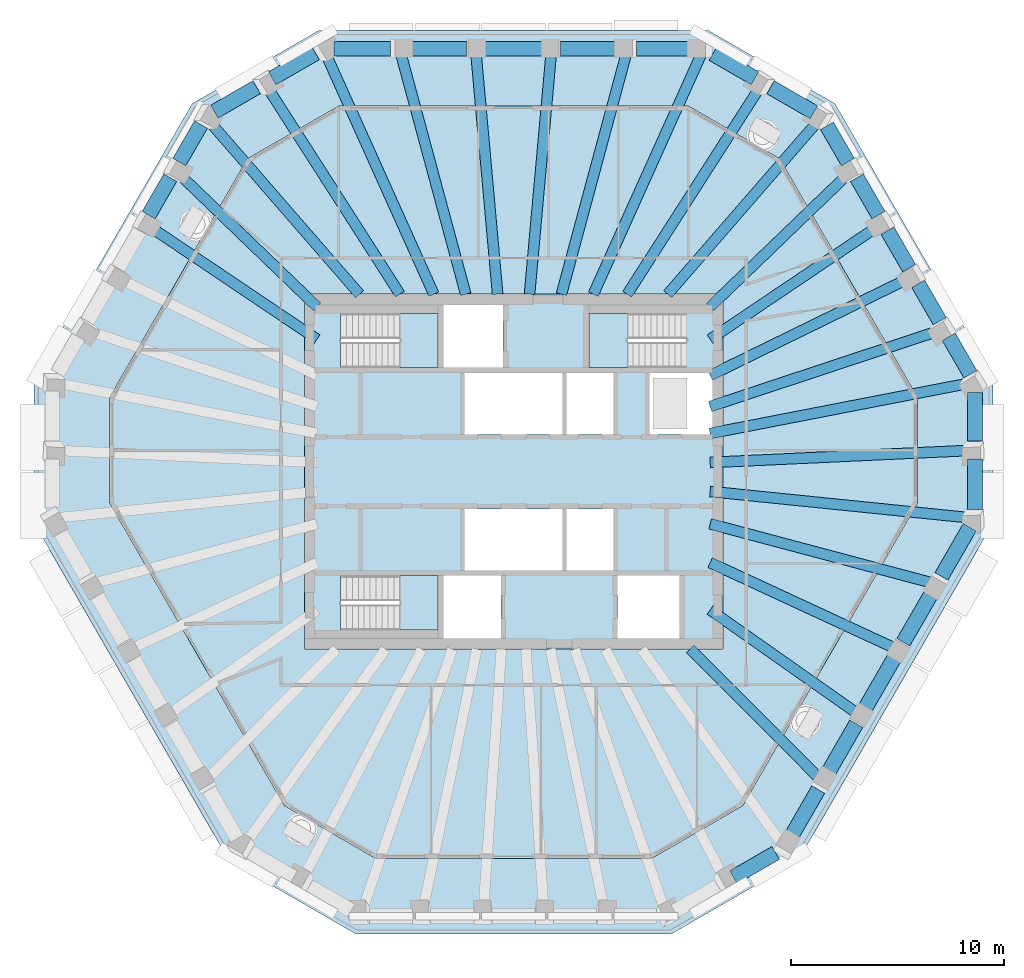
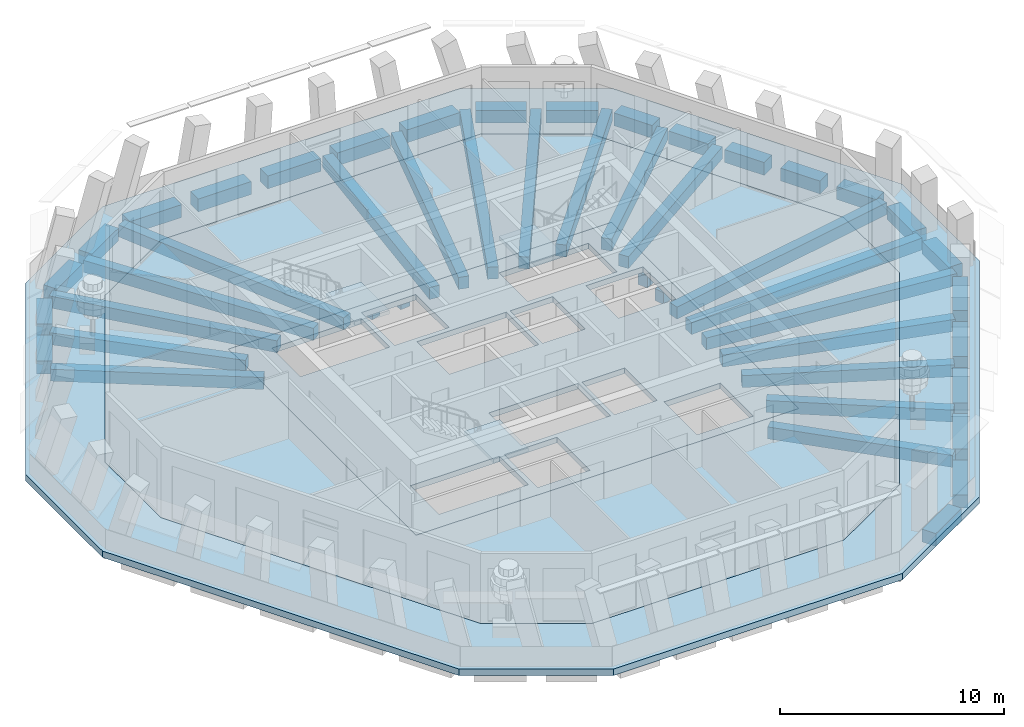
# One storey, part 2 of 11: 47 beams, 6 slabs, 3 elements without a shape of their own.
"""IFC4 building model written with IfcOpenShell, lengths in metres."""

from ifc_helpers import new_model, si_unit, direction, frame, origin, origin_2d, place, context, subcontext, project, spatial, polyline, rectangle, outline, extrude, material, layer, layer_set, material_profile, profile_set, type_object, element, aggregate, save


model = new_model("IFC4")

# Units and contexts
model_context = context("Model", 3, precision=1e-05, world=origin(), true_north=direction((0.0, 1.0)))
body_context = subcontext(model_context, "Body", "Model", "MODEL_VIEW")
ifc_project = project(units=[si_unit("LENGTHUNIT", "METRE"), si_unit("AREAUNIT", "SQUARE_METRE"), si_unit("VOLUMEUNIT", "CUBIC_METRE"), si_unit("PLANEANGLEUNIT", "RADIAN"), si_unit("MASSUNIT", "GRAM", prefix="KILO")], contexts=[model_context])

# Site, building, storey
site_placement = place(None, origin())
site = spatial("IfcSite", under=ifc_project, at=site_placement, CompositionType="ELEMENT")
building_placement = place(site_placement, origin())
building = spatial("IfcBuilding", under=site, at=building_placement, Name="Frailejon Research Tower", CompositionType="ELEMENT")
storey_placement = place(building_placement, frame((0.0, 0.0, 340.60009765625)))
storey = spatial("IfcBuildingStorey", under=building, at=storey_placement, Name="L76", CompositionType="ELEMENT", Elevation=340.60009765625)

# Beams
ifc_material_1 = material(Name="Concrete C60/75", Category="concrete")
ifc_material_profile_1 = material_profile(ifc_material_1, rectangle(XDim=0.5, YDim=0.64990234375, at=origin_2d()), Name="Girder 500x650")
ifc_profile_set_1 = profile_set([ifc_material_profile_1], Name="Concrete C60/75")
beam_type_1 = type_object("IfcBeamType", Name="Girder 500x650", PredefinedType="BEAM", material=ifc_profile_set_1)
beam_1_placement = place(storey_placement, frame((21.432373046875, -2.17236328125, -0.625), z_axis=(-0.994901846505, 0.10084798372, 0.0), x_axis=(-0.10084798372, -0.994901846505, 0.0)))
element("IfcBeam", 1, at=beam_1_placement, inside=storey, type_object=beam_type_1, Name="Girder 500x650", PredefinedType="BEAM", context=body_context, shape_type="SweptSolid", body=[
    extrude(rectangle(XDim=0.5, YDim=0.64990234375, at=origin_2d()), origin(), (0.0, 0.0, 1.0), 12.244873046875),
])
beam_2_placement = place(storey_placement, frame((21.432861328125, 0.992919921875, -0.625), z_axis=(-0.998928410003, -0.046282088213, 0.0), x_axis=(0.046282088213, -0.998928410003, 0.0)))
element("IfcBeam", 2, at=beam_2_placement, inside=storey, type_object=beam_type_1, Name="Girder 500x650", PredefinedType="BEAM", context=body_context, shape_type="SweptSolid", body=[
    extrude(rectangle(XDim=0.5, YDim=0.64990234375, at=origin_2d()), origin(), (0.0, 0.0, 1.0), 12.196044921875),
])
beam_3_placement = place(storey_placement, frame((21.4140625, 4.154541015625, -0.625), z_axis=(-0.981696516432, -0.190451961461, 0.0), x_axis=(0.190451961461, -0.981696516432, 0.0)))
element("IfcBeam", 3, at=beam_3_placement, inside=storey, type_object=beam_type_1, Name="Girder 500x650", PredefinedType="BEAM", context=body_context, shape_type="SweptSolid", body=[
    extrude(rectangle(XDim=0.5, YDim=0.64990234375, at=origin_2d()), origin(), (0.0, 0.0, 1.0), 12.390869140625),
])
beam_4_placement = place(storey_placement, frame((19.997314453125, 6.618896484375, -0.625), z_axis=(-0.949351863334, -0.314214957606, 0.0), x_axis=(0.314214957606, -0.949351863334, 0.0)))
element("IfcBeam", 4, at=beam_4_placement, inside=storey, type_object=beam_type_1, Name="Girder 500x650", PredefinedType="BEAM", context=body_context, shape_type="SweptSolid", body=[
    extrude(rectangle(XDim=0.5, YDim=0.64990234375, at=origin_2d()), origin(), (0.0, 0.0, 1.0), 11.32080078125),
])
beam_5_placement = place(storey_placement, frame((18.577392578125, 9.08349609375, -0.625), z_axis=(-0.898356524558, -0.439267065444, 0.0), x_axis=(0.439267065444, -0.898356524558, 0.0)))
element("IfcBeam", 5, at=beam_5_placement, inside=storey, type_object=beam_type_1, Name="Girder 500x650", PredefinedType="BEAM", context=body_context, shape_type="SweptSolid", body=[
    extrude(rectangle(XDim=0.5, YDim=0.64990234375, at=origin_2d()), origin(), (0.0, 0.0, 1.0), 10.3828125),
])
beam_6_placement = place(storey_placement, frame((17.1552734375, 11.546875, -0.625), z_axis=(-0.829590486371, -0.558372299567, 0.0), x_axis=(0.558372299567, -0.829590486371, 0.0)))
element("IfcBeam", 6, at=beam_6_placement, inside=storey, type_object=beam_type_1, Name="Girder 500x650", PredefinedType="BEAM", context=body_context, shape_type="SweptSolid", body=[
    extrude(rectangle(XDim=0.5, YDim=0.64990234375, at=origin_2d()), origin(), (0.0, 0.0, 1.0), 9.529052734375),
])
beam_7_placement = place(storey_placement, frame((15.735595703125, 13.997802734375, -0.625), z_axis=(-0.720186249884, -0.693780776239, 0.0), x_axis=(0.693780776239, -0.720186249884, 0.0)))
element("IfcBeam", 7, at=beam_7_placement, inside=storey, type_object=beam_type_1, Name="Girder 500x650", PredefinedType="BEAM", context=body_context, shape_type="SweptSolid", body=[
    extrude(rectangle(XDim=0.5, YDim=0.64990234375, at=origin_2d()), origin(), (0.0, 0.0, 1.0), 9.00537109375),
])
beam_8_placement = place(storey_placement, frame((14.31591796875, 16.480224609375, -0.625), z_axis=(-0.655799219771, -0.754935350442, 0.0), x_axis=(0.754935350442, -0.655799219771, 0.0)))
element("IfcBeam", 8, at=beam_8_placement, inside=storey, type_object=beam_type_1, Name="Girder 500x650", PredefinedType="BEAM", context=body_context, shape_type="SweptSolid", body=[
    extrude(rectangle(XDim=0.5, YDim=0.64990234375, at=origin_2d()), origin(), (0.0, 0.0, 1.0), 10.769287109375),
])
beam_9_placement = place(storey_placement, frame((11.576416015625, 18.065185546875, -0.625), z_axis=(-0.539541139677, -0.841959238085, 0.0), x_axis=(0.841959238085, -0.539541139677, 0.0)))
element("IfcBeam", 9, at=beam_9_placement, inside=storey, type_object=beam_type_1, Name="Girder 500x650", PredefinedType="BEAM", context=body_context, shape_type="SweptSolid", body=[
    extrude(rectangle(XDim=0.5, YDim=0.64990234375, at=origin_2d()), origin(), (0.0, 0.0, 1.0), 11.53857421875),
])
beam_10_placement = place(storey_placement, frame((8.81884765625, 19.61181640625, -0.625), z_axis=(-0.410124607406, -0.912029498646, 0.0), x_axis=(0.912029498646, -0.410124607406, 0.0)))
element("IfcBeam", 10, at=beam_10_placement, inside=storey, type_object=beam_type_1, Name="Girder 500x650", PredefinedType="BEAM", context=body_context, shape_type="SweptSolid", body=[
    extrude(rectangle(XDim=0.5, YDim=0.64990234375, at=origin_2d()), origin(), (0.0, 0.0, 1.0), 12.347900390625),
])
beam_11_placement = place(storey_placement, frame((5.29345703125, 19.619873046875, -0.625), z_axis=(-0.26048123621, -0.965478909963, 0.0), x_axis=(0.965478909963, -0.26048123621, 0.0)))
element("IfcBeam", 11, at=beam_11_placement, inside=storey, type_object=beam_type_1, Name="Girder 500x650", PredefinedType="BEAM", context=body_context, shape_type="SweptSolid", body=[
    extrude(rectangle(XDim=0.5, YDim=0.64990234375, at=origin_2d()), origin(), (0.0, 0.0, 1.0), 11.6728515625),
])
for number, where, z_axis, x_axis, name in (
    (12, (1.764892578125, 19.62451171875, -0.625), (-0.089569238272, -0.995980597981, 0.0), (0.995980597981, -0.089569238272, 0.0), "Girder 500x650"),
    (13, (-1.764892578125, 19.62451171875, -0.625), (0.089569238272, -0.995980597981, 0.0), (0.995980597981, 0.089569238272, 0.0), "Girder 500x650"),
):
    element("IfcBeam", number, at=place(storey_placement, frame(where, z_axis=z_axis, x_axis=x_axis)), inside=storey, type_object=beam_type_1, Name=name, PredefinedType="BEAM", context=body_context, shape_type="SweptSolid", body=[
        extrude(rectangle(XDim=0.5, YDim=0.64990234375, at=origin_2d()), origin(), (0.0, 0.0, 1.0), 11.31982421875),
    ])
beam_12_placement = place(storey_placement, frame((-5.29345703125, 19.619873046875, -0.625), z_axis=(0.26048123621, -0.965478909963, 0.0), x_axis=(0.965478909963, 0.26048123621, 0.0)))
element("IfcBeam", 14, at=beam_12_placement, inside=storey, type_object=beam_type_1, Name="Girder 500x650", PredefinedType="BEAM", context=body_context, shape_type="SweptSolid", body=[
    extrude(rectangle(XDim=0.5, YDim=0.64990234375, at=origin_2d()), origin(), (0.0, 0.0, 1.0), 11.6728515625),
])
beam_13_placement = place(storey_placement, frame((-8.834716796875, 19.647216796875, -0.625), z_axis=(0.410121261176, -0.912031003383, 0.0), x_axis=(0.912031003383, 0.410121261176, 0.0)))
element("IfcBeam", 15, at=beam_13_placement, inside=storey, type_object=beam_type_1, Name="Girder 500x650", PredefinedType="BEAM", context=body_context, shape_type="SweptSolid", body=[
    extrude(rectangle(XDim=0.5, YDim=0.64990234375, at=origin_2d()), origin(), (0.0, 0.0, 1.0), 12.38671875),
])
beam_14_placement = place(storey_placement, frame((-11.576416015625, 18.065185546875, -0.625), z_axis=(0.539541139677, -0.841959238085, 0.0), x_axis=(0.841959238085, 0.539541139677, 0.0)))
element("IfcBeam", 16, at=beam_14_placement, inside=storey, type_object=beam_type_1, Name="Girder 500x650", PredefinedType="BEAM", context=body_context, shape_type="SweptSolid", body=[
    extrude(rectangle(XDim=0.5, YDim=0.64990234375, at=origin_2d()), origin(), (0.0, 0.0, 1.0), 11.53857421875),
])
beam_15_placement = place(storey_placement, frame((-14.30517578125, 16.4677734375, -0.625), z_axis=(0.655803138185, -0.754931946567, 0.0), x_axis=(0.754931946567, 0.655803138185, 0.0)))
element("IfcBeam", 17, at=beam_15_placement, inside=storey, type_object=beam_type_1, Name="Girder 500x650", PredefinedType="BEAM", context=body_context, shape_type="SweptSolid", body=[
    extrude(rectangle(XDim=0.5, YDim=0.64990234375, at=origin_2d()), origin(), (0.0, 0.0, 1.0), 10.7529296875),
])
beam_16_placement = place(storey_placement, frame((-15.735595703125, 13.997802734375, -0.625), z_axis=(0.720186249884, -0.693780776239, 0.0), x_axis=(0.693780776239, 0.720186249884, 0.0)))
element("IfcBeam", 18, at=beam_16_placement, inside=storey, type_object=beam_type_1, Name="Girder 500x650", PredefinedType="BEAM", context=body_context, shape_type="SweptSolid", body=[
    extrude(rectangle(XDim=0.5, YDim=0.64990234375, at=origin_2d()), origin(), (0.0, 0.0, 1.0), 9.00537109375),
])
beam_17_placement = place(storey_placement, frame((-17.1552734375, 11.546875, -0.625), z_axis=(0.829590486371, -0.558372299567, 0.0), x_axis=(0.558372299567, 0.829590486371, 0.0)))
element("IfcBeam", 19, at=beam_17_placement, inside=storey, type_object=beam_type_1, Name="Girder 500x650", PredefinedType="BEAM", context=body_context, shape_type="SweptSolid", body=[
    extrude(rectangle(XDim=0.5, YDim=0.64990234375, at=origin_2d()), origin(), (0.0, 0.0, 1.0), 9.529052734375),
])
beam_18_placement = place(storey_placement, frame((14.344482421875, -14.39404296875, -0.625), z_axis=(-0.705889720306, 0.708321750877, 0.0), x_axis=(-0.708321750877, -0.705889720306, 0.0)))
element("IfcBeam", 20, at=beam_18_placement, inside=storey, type_object=beam_type_1, Name="Girder 500x650", PredefinedType="BEAM", context=body_context, shape_type="SweptSolid", body=[
    extrude(rectangle(XDim=0.5, YDim=0.64990234375, at=origin_2d()), origin(), (0.0, 0.0, 1.0), 8.53271484375),
])
beam_19_placement = place(storey_placement, frame((16.11279296875, -11.340576171875, -0.625), z_axis=(-0.817766863373, 0.575549613126, 0.0), x_axis=(-0.575549613126, -0.817766863373, 0.0)))
element("IfcBeam", 21, at=beam_19_placement, inside=storey, type_object=beam_type_1, Name="Girder 500x650", PredefinedType="BEAM", context=body_context, shape_type="SweptSolid", body=[
    extrude(rectangle(XDim=0.5, YDim=0.64990234375, at=origin_2d()), origin(), (0.0, 0.0, 1.0), 8.39208984375),
])
beam_20_placement = place(storey_placement, frame((17.877685546875, -8.28369140625, -0.625), z_axis=(-0.907336166903, 0.420405851803, 0.0), x_axis=(-0.420405851803, -0.907336166903, 0.0)))
element("IfcBeam", 22, at=beam_20_placement, inside=storey, type_object=beam_type_1, Name="Girder 500x650", PredefinedType="BEAM", context=body_context, shape_type="SweptSolid", body=[
    extrude(rectangle(XDim=0.5, YDim=0.64990234375, at=origin_2d()), origin(), (0.0, 0.0, 1.0), 9.5087890625),
])
beam_21_placement = place(storey_placement, frame((19.637939453125, -5.2255859375, -0.625), z_axis=(-0.966372769398, 0.257145232441, 0.0), x_axis=(-0.257145232441, -0.966372769398, 0.0)))
element("IfcBeam", 23, at=beam_21_placement, inside=storey, type_object=beam_type_1, Name="Girder 500x650", PredefinedType="BEAM", context=body_context, shape_type="SweptSolid", body=[
    extrude(rectangle(XDim=0.5, YDim=0.64990234375, at=origin_2d()), origin(), (0.0, 0.0, 1.0), 10.74951171875),
])
ifc_material_2 = material(Name="Concrete C60/75", Category="concrete")
ifc_material_profile_2 = material_profile(ifc_material_2, rectangle(XDim=0.699951171875, YDim=0.699951171875, at=origin_2d()), Name="Spandrel 700x700")
ifc_profile_set_2 = profile_set([ifc_material_profile_2], Name="Concrete C60/75")
beam_type_2 = type_object("IfcBeamType", Name="Spandrel 700x700", PredefinedType="BEAM", material=ifc_profile_set_2)
beam_22_placement = place(storey_placement, frame((21.7080078125, -1.775390625, -0.7001953125), z_axis=(0.0, 1.0, 0.0), x_axis=(-1.0, 0.0, 0.0)))
element("IfcBeam", 24, at=beam_22_placement, inside=storey, type_object=beam_type_2, Name="Spandrel 700x700", PredefinedType="BEAM", context=body_context, shape_type="SweptSolid", body=[
    extrude(rectangle(XDim=0.699951171875, YDim=0.699951171875, at=origin_2d()), origin(), (0.0, 0.0, 1.0), 2.35595703125),
])
beam_23_placement = place(storey_placement, frame((21.7080078125, 1.4306640625, -0.7001953125), z_axis=(0.0, 1.0, 0.0), x_axis=(-1.0, 0.0, 0.0)))
element("IfcBeam", 25, at=beam_23_placement, inside=storey, type_object=beam_type_2, Name="Spandrel 700x700", PredefinedType="BEAM", context=body_context, shape_type="SweptSolid", body=[
    extrude(rectangle(XDim=0.699951171875, YDim=0.699951171875, at=origin_2d()), origin(), (0.0, 0.0, 1.0), 2.290283203125),
])
beam_24_placement = place(storey_placement, frame((21.49560546875, 4.579833984375, -0.7001953125), z_axis=(-0.50002743572, 0.866009563185, 0.0), x_axis=(-0.866009563185, -0.50002743572, 0.0)))
element("IfcBeam", 26, at=beam_24_placement, inside=storey, type_object=beam_type_2, Name="Spandrel 700x700", PredefinedType="BEAM", context=body_context, shape_type="SweptSolid", body=[
    extrude(rectangle(XDim=0.699951171875, YDim=0.699951171875, at=origin_2d()), origin(), (0.0, 0.0, 1.0), 2.03271484375),
])
beam_25_placement = place(storey_placement, frame((20.05419921875, 7.076416015625, -0.7001953125), z_axis=(-0.499989360119, 0.866031546636, 0.0), x_axis=(-0.866031546636, -0.499989360119, 0.0)))
element("IfcBeam", 27, at=beam_25_placement, inside=storey, type_object=beam_type_2, Name="Spandrel 700x700", PredefinedType="BEAM", context=body_context, shape_type="SweptSolid", body=[
    extrude(rectangle(XDim=0.699951171875, YDim=0.699951171875, at=origin_2d()), origin(), (0.0, 0.0, 1.0), 2.0322265625),
])
for number, where, z_axis, x_axis, name in (
    (28, (18.613037109375, 9.57275390625, -0.7001953125), (-0.50002743572, 0.866009563185, 0.0), (-0.866009563185, -0.50002743572, 0.0), "Spandrel 700x700"),
    (29, (17.171630859375, 12.069091796875, -0.7001953125), (-0.50002743572, 0.866009563185, 0.0), (-0.866009563185, -0.50002743572, 0.0), "Spandrel 700x700"),
):
    element("IfcBeam", number, at=place(storey_placement, frame(where, z_axis=z_axis, x_axis=x_axis)), inside=storey, type_object=beam_type_2, Name=name, PredefinedType="BEAM", context=body_context, shape_type="SweptSolid", body=[
        extrude(rectangle(XDim=0.699951171875, YDim=0.699951171875, at=origin_2d()), origin(), (0.0, 0.0, 1.0), 2.03271484375),
    ])
beam_26_placement = place(storey_placement, frame((15.730224609375, 14.565673828125, -0.7001953125), z_axis=(-0.500037662692, 0.866003658127, 0.0), x_axis=(-0.866003658127, -0.500037662692, 0.0)))
element("IfcBeam", 30, at=beam_26_placement, inside=storey, type_object=beam_type_2, Name="Spandrel 700x700", PredefinedType="BEAM", context=body_context, shape_type="SweptSolid", body=[
    extrude(rectangle(XDim=0.699951171875, YDim=0.699951171875, at=origin_2d()), origin(), (0.0, 0.0, 1.0), 1.966552734375),
])
beam_27_placement = place(storey_placement, frame((14.13330078125, 16.906494140625, -0.7001953125), z_axis=(-0.866021643438, 0.500006513054, 0.0), x_axis=(-0.500006513054, -0.866021643438, 0.0)))
element("IfcBeam", 31, at=beam_27_placement, inside=storey, type_object=beam_type_2, Name="Spandrel 700x700", PredefinedType="BEAM", context=body_context, shape_type="SweptSolid", body=[
    extrude(rectangle(XDim=0.699951171875, YDim=0.699951171875, at=origin_2d()), origin(), (0.0, 0.0, 1.0), 2.35595703125),
])
beam_28_placement = place(storey_placement, frame((11.35693359375, 18.509521484375, -0.7001953125), z_axis=(-0.866070215109, 0.499922376475, 0.0), x_axis=(-0.499922376475, -0.866070215109, 0.0)))
element("IfcBeam", 32, at=beam_28_placement, inside=storey, type_object=beam_type_2, Name="Spandrel 700x700", PredefinedType="BEAM", context=body_context, shape_type="SweptSolid", body=[
    extrude(rectangle(XDim=0.699951171875, YDim=0.699951171875, at=origin_2d()), origin(), (0.0, 0.0, 1.0), 2.290283203125),
])
beam_29_placement = place(storey_placement, frame((8.5234375, 19.89990234375, -0.7001953125), z_axis=(-1.0, 0.0, 0.0), x_axis=(0.0, -1.0, 0.0)))
element("IfcBeam", 33, at=beam_29_placement, inside=storey, type_object=beam_type_2, Name="Spandrel 700x700", PredefinedType="BEAM", context=body_context, shape_type="SweptSolid", body=[
    extrude(rectangle(XDim=0.699951171875, YDim=0.699951171875, at=origin_2d()), origin(), (0.0, 0.0, 1.0), 2.729248046875),
])
for number, where, z_axis, x_axis, name in (
    (34, (4.944091796875, 19.89990234375, -0.7001953125), (-1.0, 0.0, 0.0), (0.0, -1.0, 0.0), "Spandrel 700x700"),
    (35, (1.36474609375, 19.89990234375, -0.7001953125), (-1.0, 0.0, 0.0), (0.0, -1.0, 0.0), "Spandrel 700x700"),
    (36, (-2.214599609375, 19.89990234375, -0.7001953125), (-1.0, 0.0, 0.0), (0.0, -1.0, 0.0), "Spandrel 700x700"),
):
    element("IfcBeam", number, at=place(storey_placement, frame(where, z_axis=z_axis, x_axis=x_axis)), inside=storey, type_object=beam_type_2, Name=name, PredefinedType="BEAM", context=body_context, shape_type="SweptSolid", body=[
        extrude(rectangle(XDim=0.699951171875, YDim=0.699951171875, at=origin_2d()), origin(), (0.0, 0.0, 1.0), 2.7294921875),
    ])
beam_30_placement = place(storey_placement, frame((-5.794189453125, 19.89990234375, -0.7001953125), z_axis=(-1.0, 0.0, 0.0), x_axis=(0.0, -1.0, 0.0)))
element("IfcBeam", 37, at=beam_30_placement, inside=storey, type_object=beam_type_2, Name="Spandrel 700x700", PredefinedType="BEAM", context=body_context, shape_type="SweptSolid", body=[
    extrude(rectangle(XDim=0.699951171875, YDim=0.699951171875, at=origin_2d()), origin(), (0.0, 0.0, 1.0), 2.66357421875),
])
beam_31_placement = place(storey_placement, frame((-9.31640625, 19.6875, -0.7001953125), z_axis=(-0.866047547699, -0.499961643653, 0.0), x_axis=(0.499961643653, -0.866047547699, 0.0)))
element("IfcBeam", 38, at=beam_31_placement, inside=storey, type_object=beam_type_2, Name="Spandrel 700x700", PredefinedType="BEAM", context=body_context, shape_type="SweptSolid", body=[
    extrude(rectangle(XDim=0.699951171875, YDim=0.699951171875, at=origin_2d()), origin(), (0.0, 0.0, 1.0), 2.356201171875),
])
beam_32_placement = place(storey_placement, frame((-12.093017578125, 18.08447265625, -0.7001953125), z_axis=(-0.86599741159, -0.500048480769, 0.0), x_axis=(0.500048480769, -0.86599741159, 0.0)))
element("IfcBeam", 39, at=beam_32_placement, inside=storey, type_object=beam_type_2, Name="Spandrel 700x700", PredefinedType="BEAM", context=body_context, shape_type="SweptSolid", body=[
    extrude(rectangle(XDim=0.699951171875, YDim=0.699951171875, at=origin_2d()), origin(), (0.0, 0.0, 1.0), 2.290283203125),
])
beam_33_placement = place(storey_placement, frame((-14.714111328125, 16.32568359375, -0.7001953125), z_axis=(-0.499989360119, -0.866031546636, 0.0), x_axis=(0.866031546636, -0.499989360119, 0.0)))
element("IfcBeam", 40, at=beam_33_placement, inside=storey, type_object=beam_type_2, Name="Spandrel 700x700", PredefinedType="BEAM", context=body_context, shape_type="SweptSolid", body=[
    extrude(rectangle(XDim=0.699951171875, YDim=0.699951171875, at=origin_2d()), origin(), (0.0, 0.0, 1.0), 2.0322265625),
])
beam_34_placement = place(storey_placement, frame((-16.1552734375, 13.829345703125, -0.7001953125), z_axis=(-0.50002743572, -0.866009563185, 0.0), x_axis=(0.866009563185, -0.50002743572, 0.0)))
element("IfcBeam", 41, at=beam_34_placement, inside=storey, type_object=beam_type_2, Name="Spandrel 700x700", PredefinedType="BEAM", context=body_context, shape_type="SweptSolid", body=[
    extrude(rectangle(XDim=0.699951171875, YDim=0.699951171875, at=origin_2d()), origin(), (0.0, 0.0, 1.0), 2.03271484375),
])
beam_35_placement = place(storey_placement, frame((10.351318359375, -19.090087890625, -0.7001953125), z_axis=(0.866043571379, 0.499968531483, 0.0), x_axis=(-0.499968531483, 0.866043571379, 0.0)))
element("IfcBeam", 42, at=beam_35_placement, inside=storey, type_object=beam_type_2, Name="Spandrel 700x700", PredefinedType="BEAM", context=body_context, shape_type="SweptSolid", body=[
    extrude(rectangle(XDim=0.699951171875, YDim=0.699951171875, at=origin_2d()), origin(), (0.0, 0.0, 1.0), 2.290283203125),
])
for number, where, z_axis, x_axis, name in (
    (43, (12.97216796875, -17.33154296875, -0.7001953125), (0.500006352507, 0.866021736132, 0.0), (-0.866021736132, 0.500006352507, 0.0), "Spandrel 700x700"),
    (44, (14.761962890625, -14.231689453125, -0.7001953125), (0.500006352507, 0.866021736132, 0.0), (-0.866021736132, 0.500006352507, 0.0), "Spandrel 700x700"),
):
    element("IfcBeam", number, at=place(storey_placement, frame(where, z_axis=z_axis, x_axis=x_axis)), inside=storey, type_object=beam_type_2, Name=name, PredefinedType="BEAM", context=body_context, shape_type="SweptSolid", body=[
        extrude(rectangle(XDim=0.699951171875, YDim=0.699951171875, at=origin_2d()), origin(), (0.0, 0.0, 1.0), 2.7294921875),
    ])
beam_36_placement = place(storey_placement, frame((16.551513671875, -11.1318359375, -0.7001953125), z_axis=(0.500045086839, 0.865999371321, 0.0), x_axis=(-0.865999371321, 0.500045086839, 0.0)))
element("IfcBeam", 45, at=beam_36_placement, inside=storey, type_object=beam_type_2, Name="Spandrel 700x700", PredefinedType="BEAM", context=body_context, shape_type="SweptSolid", body=[
    extrude(rectangle(XDim=0.699951171875, YDim=0.699951171875, at=origin_2d()), origin(), (0.0, 0.0, 1.0), 2.729248046875),
])
beam_37_placement = place(storey_placement, frame((18.34130859375, -8.031982421875, -0.7001953125), z_axis=(0.499977996243, 0.866038107287, 0.0), x_axis=(-0.866038107287, 0.499977996243, 0.0)))
element("IfcBeam", 46, at=beam_37_placement, inside=storey, type_object=beam_type_2, Name="Spandrel 700x700", PredefinedType="BEAM", context=body_context, shape_type="SweptSolid", body=[
    extrude(rectangle(XDim=0.699951171875, YDim=0.699951171875, at=origin_2d()), origin(), (0.0, 0.0, 1.0), 2.72900390625),
])
beam_38_placement = place(storey_placement, frame((20.130859375, -4.93212890625, -0.7001953125), z_axis=(0.500013381831, 0.866017677643, 0.0), x_axis=(-0.866017677643, 0.500013381831, 0.0)))
element("IfcBeam", 47, at=beam_38_placement, inside=storey, type_object=beam_type_2, Name="Spandrel 700x700", PredefinedType="BEAM", context=body_context, shape_type="SweptSolid", body=[
    extrude(rectangle(XDim=0.699951171875, YDim=0.699951171875, at=origin_2d()), origin(), (0.0, 0.0, 1.0), 2.66357421875),
])

# Slabs
ifc_material_3 = material(Name="Concrete C50/60", Category="concrete")
ifc_layer_1 = layer(ifc_material_3, 0.300048828125)
ifc_layer_set_1 = layer_set([ifc_layer_1], Name="Core floor slab 300 C50/60")
slab_type_1 = type_object("IfcSlabType", Name="Core floor slab 300 C50/60", PredefinedType="FLOOR", material=ifc_layer_set_1)
slab_1_placement = place(storey_placement, frame((0.0, 0.0, -0.300048828125)))
element("IfcSlab", 48, at=slab_1_placement, inside=storey, type_object=slab_type_1, Name="Core floor slab", PredefinedType="FLOOR", context=body_context, shape_type="SweptSolid", body=[
    extrude(outline(polyline([(9.85009765625, -8.35009765625), (9.85009765625, 8.35009765625), (-9.85009765625, 8.35009765625), (-9.85009765625, -8.35009765625), (9.85009765625, -8.35009765625)]), holes=[polyline([(2.300048828125, 1.75), (2.300048828125, 4.64990234375), (-2.300048828125, 4.64990234375), (-2.300048828125, 1.75), (2.300048828125, 1.75)]), polyline([(4.699951171875, 1.75), (4.699951171875, 4.64990234375), (2.5, 4.64990234375), (2.5, 1.75), (4.699951171875, 1.75)]), polyline([(9.35009765625, 1.75), (9.35009765625, 4.64990234375), (6.39990234375, 4.64990234375), (6.39990234375, 1.75), (9.35009765625, 1.75)]), polyline([(2.300048828125, -4.64990234375), (2.300048828125, -1.75), (-2.300048828125, -1.75), (-2.300048828125, -4.64990234375), (2.300048828125, -4.64990234375)]), polyline([(4.699951171875, -4.64990234375), (4.699951171875, -1.75), (2.5, -1.75), (2.5, -4.64990234375), (4.699951171875, -4.64990234375)]), polyline([(-8.14697265625, 4.89990234375), (-3.550048828125, 4.89990234375), (-3.550048828125, 7.449951171875), (-8.14697265625, 7.449951171875), (-8.14697265625, 4.89990234375)]), polyline([(-8.14697265625, -7.449951171875), (-3.550048828125, -7.449951171875), (-3.550048828125, -4.89990234375), (-8.14697265625, -4.89990234375), (-8.14697265625, -7.449951171875)]), polyline([(8.14697265625, 7.449951171875), (3.550048828125, 7.449951171875), (3.550048828125, 4.89990234375), (8.14697265625, 4.89990234375), (8.14697265625, 7.449951171875)]), polyline([(-0.60009765625, -7.85009765625), (-0.60009765625, -4.89990234375), (-3.300048828125, -4.89990234375), (-3.300048828125, -7.85009765625), (-0.60009765625, -7.85009765625)]), polyline([(7.800048828125, -7.85009765625), (7.800048828125, -4.89990234375), (4.89990234375, -4.89990234375), (4.89990234375, -7.85009765625), (7.800048828125, -7.85009765625)]), polyline([(-0.5, 4.89990234375), (-0.5, 7.85009765625), (-3.300048828125, 7.85009765625), (-3.300048828125, 4.89990234375), (-0.5, 4.89990234375)])]), origin(), (0.0, 0.0, 1.0), 0.300048828125),
])
ifc_material_4 = material(Name="Concrete C40/50", Category="concrete")
ifc_layer_2 = layer(ifc_material_4, 0.35009765625)
ifc_layer_set_2 = layer_set([ifc_layer_2], Name="Loggia slab 350")
slab_type_2 = type_object("IfcSlabType", Name="Loggia slab 350", PredefinedType="USERDEFINED", material=ifc_layer_set_2)
slab_2_placement = place(storey_placement, frame((0.0, 0.0, -0.35009765625)))
element("IfcSlab", 49, at=slab_2_placement, inside=storey, type_object=slab_type_2, Name="Loggia slab L76", ObjectType="LOGGIA", PredefinedType="USERDEFINED", context=body_context, shape_type="SweptSolid", body=[
    extrude(outline(polyline([(13.3818359375, -18.32177734375), (7.434326171875, -21.755615234375), (-7.434326171875, -21.755615234375), (-13.3818359375, -18.32177734375), (-22.55810546875, -2.42822265625), (-22.55810546875, 4.439453125), (-15.123779296875, 17.316162109375), (-9.17626953125, 20.75), (9.17626953125, 20.75), (15.123779296875, 17.316162109375), (22.55810546875, 4.439453125), (22.55810546875, -2.42822265625), (13.3818359375, -18.32177734375)]), holes=[polyline([(19.008056640625, 3.48828125), (12.52490234375, 14.71728515625), (8.22509765625, 17.199951171875), (-8.22509765625, 17.199951171875), (-12.52490234375, 14.71728515625), (-19.008056640625, 3.48828125), (-19.008056640625, -1.47705078125), (-10.783203125, -15.722900390625), (-6.483154296875, -18.20556640625), (6.483154296875, -18.20556640625), (10.783203125, -15.722900390625), (19.008056640625, -1.47705078125), (19.008056640625, 3.48828125)])]), origin(), (0.0, 0.0, 1.0), 0.35009765625),
])
ifc_material_5 = material(Name="Concrete C40/50", Category="concrete")
ifc_layer_3 = layer(ifc_material_5, 0.300048828125)
ifc_layer_set_3 = layer_set([ifc_layer_3], Name="Slab typical 300")
slab_type_3 = type_object("IfcSlabType", Name="Slab typical 300", PredefinedType="FLOOR", material=ifc_layer_set_3)
slab_3_placement = place(storey_placement, frame((0.0, 0.0, -0.300048828125)))
element("IfcSlab", 50, at=slab_3_placement, inside=storey, type_object=slab_type_3, Name="Floor slab L76", PredefinedType="FLOOR", context=body_context, shape_type="SweptSolid", body=[
    extrude(outline(polyline([(19.008056640625, -1.47705078125), (19.008056640625, 3.48828125), (12.52490234375, 14.71728515625), (8.22509765625, 17.199951171875), (-8.22509765625, 17.199951171875), (-12.52490234375, 14.71728515625), (-19.008056640625, 3.48828125), (-19.008056640625, -1.47705078125), (-10.783203125, -15.722900390625), (-6.483154296875, -18.20556640625), (6.483154296875, -18.20556640625), (10.783203125, -15.722900390625), (19.008056640625, -1.47705078125)]), holes=[polyline([(9.25, 8.35009765625), (9.85009765625, 8.35009765625), (9.85009765625, -8.35009765625), (9.25, -8.35009765625), (-9.25, -8.35009765625), (-9.85009765625, -8.35009765625), (-9.85009765625, 8.35009765625), (-9.25, 8.35009765625), (9.25, 8.35009765625)])]), origin(), (0.0, 0.0, 1.0), 0.300048828125),
])

# Stair, slab
ifc_material_6 = material(Name="Concrete C50/60", Category="concrete")
stair_type = type_object("IfcStairType", Name="Exit stair 22 risers", PredefinedType="HALF_TURN_STAIR", material=ifc_material_6)
stair_1_placement = place(storey_placement, origin())
stair_1 = element("IfcStair", 51, at=stair_1_placement, inside=storey, type_object=stair_type, Name="L76 Exit stair ST1", PredefinedType="HALF_TURN_STAIR")
ifc_material_7 = material(Name="Concrete C50/60", Category="concrete")
ifc_layer_4 = layer(ifc_material_7, 0.199951171875)
ifc_layer_set_4 = layer_set([ifc_layer_4], Name="Stair landing slab 200")
slab_type_4 = type_object("IfcSlabType", Name="Stair landing slab 200", PredefinedType="LANDING", material=ifc_layer_set_4)
slab_4_placement = place(storey_placement, frame((0.0, 0.0, 1.7998046875)))
slab_4 = element("IfcSlab", 52, at=slab_4_placement, type_object=slab_type_4, Name="ST1 landing 1", PredefinedType="LANDING", context=body_context, shape_type="SweptSolid", body=[
    extrude(outline(polyline([(-5.35009765625, 4.89990234375), (-3.550048828125, 4.89990234375), (-3.550048828125, 7.449951171875), (-5.35009765625, 7.449951171875), (-5.35009765625, 4.89990234375)])), origin(), (0.0, 0.0, 1.0), 0.2001953125),
])
aggregate(stair_1, [slab_4])

stair_2_placement = place(storey_placement, origin())
stair_2 = element("IfcStair", 53, at=stair_2_placement, inside=storey, type_object=stair_type, Name="L76 Exit stair ST2", PredefinedType="HALF_TURN_STAIR")
slab_5_placement = place(storey_placement, frame((0.0, 0.0, 1.7998046875)))
slab_5 = element("IfcSlab", 54, at=slab_5_placement, type_object=slab_type_4, Name="ST2 landing 1", PredefinedType="LANDING", context=body_context, shape_type="SweptSolid", body=[
    extrude(outline(polyline([(-5.35009765625, -7.449951171875), (-3.550048828125, -7.449951171875), (-3.550048828125, -4.89990234375), (-5.35009765625, -4.89990234375), (-5.35009765625, -7.449951171875)])), origin(), (0.0, 0.0, 1.0), 0.2001953125),
])
aggregate(stair_2, [slab_5])

stair_3_placement = place(storey_placement, origin())
stair_3 = element("IfcStair", 55, at=stair_3_placement, inside=storey, type_object=stair_type, Name="L76 Exit stair ST3", PredefinedType="HALF_TURN_STAIR")
slab_6_placement = place(storey_placement, frame((0.0, 0.0, 1.7998046875)))
slab_6 = element("IfcSlab", 56, at=slab_6_placement, type_object=slab_type_4, Name="ST3 landing 1", PredefinedType="LANDING", context=body_context, shape_type="SweptSolid", body=[
    extrude(outline(polyline([(5.35009765625, 7.449951171875), (3.550048828125, 7.449951171875), (3.550048828125, 4.89990234375), (5.35009765625, 4.89990234375), (5.35009765625, 7.449951171875)])), origin(), (0.0, 0.0, 1.0), 0.2001953125),
])
aggregate(stair_3, [slab_6])

save(model, "model.ifc")
